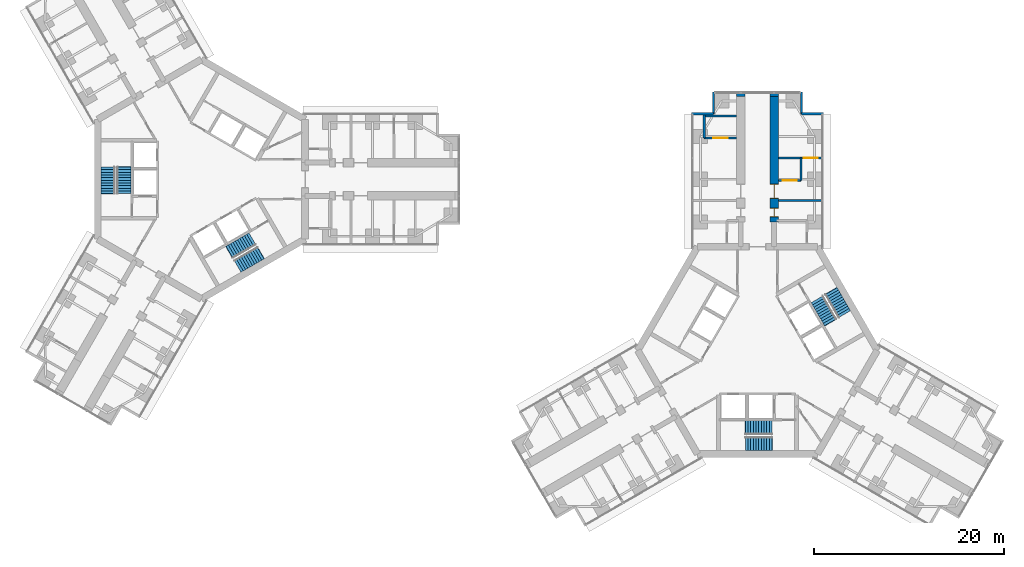
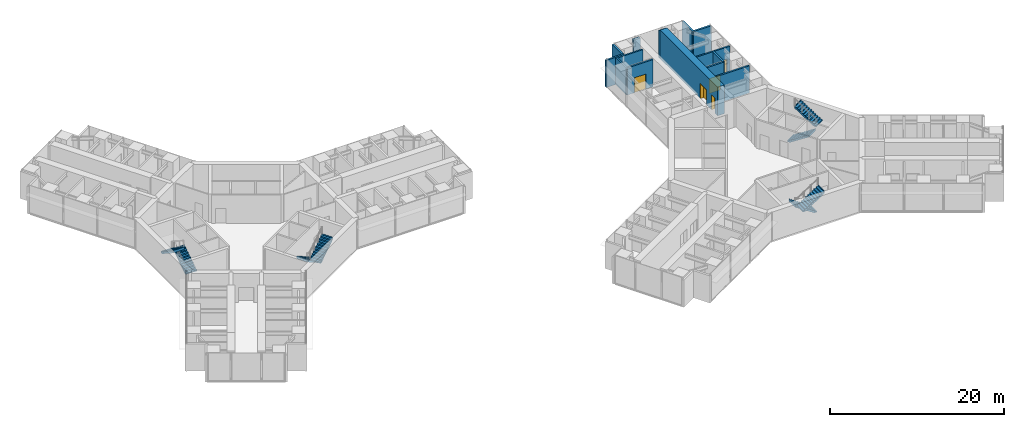
# One storey, part 21 of 22: 14 walls, 8 stair flights, 5 doors, 5 openings, 4 elements without a shape of their own.
"""IFC4 building model written with IfcOpenShell, lengths in metres."""

from ifc_helpers import new_model, si_unit, direction, frame, frame_2d, origin, place, context, subcontext, project, spatial, polyline, rectangle, outline, extrude, material, layer, layer_set, type_object, element, fill, aggregate, save


model = new_model("IFC4")

# Units and contexts
model_context = context("Model", 3, precision=1e-05, world=origin(), true_north=direction((0.0, 1.0)))
body_context = subcontext(model_context, "Body", "Model", "MODEL_VIEW")
ifc_project = project(units=[si_unit("LENGTHUNIT", "METRE"), si_unit("AREAUNIT", "SQUARE_METRE"), si_unit("VOLUMEUNIT", "CUBIC_METRE"), si_unit("PLANEANGLEUNIT", "RADIAN"), si_unit("MASSUNIT", "GRAM", prefix="KILO")], contexts=[model_context])

# Site, building, storey
site_placement = place(None, origin())
site = spatial("IfcSite", under=ifc_project, at=site_placement, CompositionType="ELEMENT")
building_placement = place(site_placement, origin())
building = spatial("IfcBuilding", under=site, at=building_placement, Name="Upepo Twin Towers", CompositionType="ELEMENT")
storey_placement = place(building_placement, frame((0.0, 0.0, 44.5)))
storey = spatial("IfcBuildingStorey", under=building, at=storey_placement, Name="L10", CompositionType="ELEMENT", Elevation=44.5)

# Wall
ifc_material_1 = material(Name="Concrete blockwork, plastered both faces", Category="masonry")
ifc_layer_1 = layer(ifc_material_1, 0.215087890625)
ifc_layer_set_1 = layer_set([ifc_layer_1], Name="Blockwork partition 215")
wall_type_1 = type_object("IfcWallType", Name="Blockwork partition 215", PredefinedType="PARTITIONING", material=ifc_layer_set_1)
wall_1_placement = place(storey_placement, frame((52.89990234375, 4.35009765625, 0.0), z_axis=(0.0, 0.0, 1.0), x_axis=(0.0, 1.0, 0.0)))
element("IfcWall", 1, at=wall_1_placement, inside=storey, type_object=wall_type_1, Name="T2 inner room partition AL at 22.35", PredefinedType="PARTITIONING", context=body_context, shape_type="SweptSolid", body=[
    extrude(rectangle(XDim=2.39990234375, YDim=0.215087890625, at=frame_2d((1.199951171875, 0.0))), origin(), (0.0, 0.0, 1.0), 3.800048828125),
])

# Wall, opening, door
wall_2_placement = place(storey_placement, frame((56.300048828125, 4.35009765625, 0.0), z_axis=(0.0, 0.0, 1.0), x_axis=(-1.0, 0.0, 0.0)))
wall_2 = element("IfcWall", 2, at=wall_2_placement, inside=storey, type_object=wall_type_1, Name="T2 inner room partition AL end at 22.35", PredefinedType="PARTITIONING", context=body_context, shape_type="SweptSolid", body=[
    extrude(rectangle(XDim=3.400146484375, YDim=0.215087890625, at=frame_2d((1.7001953125, 0.0))), origin(), (0.0, 0.0, 1.0), 3.800048828125),
])
opening_1_placement = place(wall_2_placement, frame((0.949951171875, 0.0, 0.0)))
opening_1 = element("IfcOpeningElement", 3, at=opening_1_placement, cuts=wall_2, Name="Opening D13", PredefinedType="OPENING", context=body_context, shape_type="SweptSolid", body=[
    extrude(rectangle(XDim=1.5, YDim=2.10009765625, at=frame_2d((0.75, 1.050048828125))), frame((0.0, 0.117431640625, 0.0), z_axis=(0.0, -1.0, 0.0), x_axis=(1.0, 0.0, 0.0)), (0.0, 0.0, 1.0), 0.235107421875),
])
ifc_material_2 = material(Name="Timber doorset", Category="wood")
door_type_1 = type_object("IfcDoorType", Name="Double door 1500 FD30", OperationType="DOUBLE_DOOR_SINGLE_SWING", PredefinedType="DOOR", material=ifc_material_2)
door_1_placement = place(opening_1_placement, origin())
door_1 = element("IfcDoor", 4, at=door_1_placement, inside=storey, type_object=door_type_1, Name="T2 L10 inner room door", OperationType="DOUBLE_DOOR_SINGLE_SWING", OverallHeight=2.10009765625, OverallWidth=1.5, PredefinedType="DOOR", context=body_context, shape_type="SweptSolid", body=[
    extrude(rectangle(XDim=1.5, YDim=2.10009765625, at=frame_2d((0.75, 1.050048828125))), frame((0.0, 0.02490234375, 0.0), z_axis=(0.0, -1.0, 0.0), x_axis=(1.0, 0.0, 0.0)), (0.0, 0.0, 1.0), 0.050048828125),
])
fill(opening_1, door_1)

# Walls
wall_3_placement = place(storey_placement, frame((56.300048828125, 6.642578125, 0.0), z_axis=(0.0, 0.0, 1.0), x_axis=(-1.0, 0.0, 0.0)))
element("IfcWall", 5, at=wall_3_placement, inside=storey, type_object=wall_type_1, Name="T2 inner room partition AL end at 24.75", PredefinedType="PARTITIONING", context=body_context, shape_type="SweptSolid", body=[
    extrude(rectangle(XDim=3.400146484375, YDim=0.215087890625, at=frame_2d((1.7001953125, 0.0))), origin(), (0.0, 0.0, 1.0), 3.800048828125),
])
wall_4_placement = place(storey_placement, frame((60.699951171875, -2.25, 0.0), z_axis=(0.0, 0.0, 1.0), x_axis=(1.0, 0.0, 0.0)))
element("IfcWall", 6, at=wall_4_placement, inside=storey, type_object=wall_type_1, Name="T2 partition AR at 15.75", PredefinedType="PARTITIONING", context=body_context, shape_type="SweptSolid", body=[
    extrude(rectangle(XDim=4.550048828125, YDim=0.215087890625, at=frame_2d((2.27490234375, 0.0))), origin(), (0.0, 0.0, 1.0), 3.800048828125),
])

# Wall, opening, door
wall_5_placement = place(storey_placement, frame((60.699951171875, 2.25, 0.0), z_axis=(0.0, 0.0, 1.0), x_axis=(1.0, 0.0, 0.0)))
wall_5 = element("IfcWall", 7, at=wall_5_placement, inside=storey, type_object=wall_type_1, Name="T2 partition AR at 20.25", PredefinedType="PARTITIONING", context=body_context, shape_type="SweptSolid", body=[
    extrude(rectangle(XDim=4.550048828125, YDim=0.215087890625, at=frame_2d((2.27490234375, 0.0))), origin(), (0.0, 0.0, 1.0), 3.800048828125),
])
opening_2_placement = place(wall_5_placement, frame((2.64990234375, 0.0, 0.0)))
opening_2 = element("IfcOpeningElement", 8, at=opening_2_placement, cuts=wall_5, Name="Opening D13", PredefinedType="OPENING", context=body_context, shape_type="SweptSolid", body=[
    extrude(rectangle(XDim=1.5, YDim=2.10009765625, at=frame_2d((0.75, 1.050048828125))), frame((0.0, 0.117431640625, 0.0), z_axis=(0.0, -1.0, 0.0), x_axis=(1.0, 0.0, 0.0)), (0.0, 0.0, 1.0), 0.235107421875),
])
door_2_placement = place(opening_2_placement, origin())
door_2 = element("IfcDoor", 9, at=door_2_placement, inside=storey, type_object=door_type_1, Name="T2 L10 connecting door", OperationType="DOUBLE_DOOR_SINGLE_SWING", OverallHeight=2.10009765625, OverallWidth=1.5, PredefinedType="DOOR", context=body_context, shape_type="SweptSolid", body=[
    extrude(rectangle(XDim=1.5, YDim=2.10009765625, at=frame_2d((0.75, 1.050048828125))), frame((0.0, 0.02490234375, 0.0), z_axis=(0.0, -1.0, 0.0), x_axis=(1.0, 0.0, 0.0)), (0.0, 0.0, 1.0), 0.050048828125),
])
fill(opening_2, door_2)

# Wall
wall_6_placement = place(storey_placement, frame((63.10009765625, -0.14990234375, 0.0), z_axis=(0.0, 0.0, 1.0), x_axis=(0.0, 1.0, 0.0)))
element("IfcWall", 10, at=wall_6_placement, inside=storey, type_object=wall_type_1, Name="T2 inner room partition AR at 17.85", PredefinedType="PARTITIONING", context=body_context, shape_type="SweptSolid", body=[
    extrude(rectangle(XDim=2.39990234375, YDim=0.215087890625, at=frame_2d((1.199951171875, 0.0))), origin(), (0.0, 0.0, 1.0), 3.800048828125),
])

# Wall, opening, door
wall_7_placement = place(storey_placement, frame((60.699951171875, -0.14990234375, 0.0), z_axis=(0.0, 0.0, 1.0), x_axis=(1.0, 0.0, 0.0)))
wall_7 = element("IfcWall", 11, at=wall_7_placement, inside=storey, type_object=wall_type_1, Name="T2 inner room partition AR end at 17.85", PredefinedType="PARTITIONING", context=body_context, shape_type="SweptSolid", body=[
    extrude(rectangle(XDim=2.400146484375, YDim=0.215087890625, at=frame_2d((1.2001953125, 0.0))), origin(), (0.0, 0.0, 1.0), 3.800048828125),
])
opening_3_placement = place(wall_7_placement, frame((0.449951171875, 0.0, 0.0)))
opening_3 = element("IfcOpeningElement", 12, at=opening_3_placement, cuts=wall_7, Name="Opening D13", PredefinedType="OPENING", context=body_context, shape_type="SweptSolid", body=[
    extrude(rectangle(XDim=1.5, YDim=2.10009765625, at=frame_2d((0.75, 1.050048828125))), frame((0.0, 0.117431640625, 0.0), z_axis=(0.0, -1.0, 0.0), x_axis=(1.0, 0.0, 0.0)), (0.0, 0.0, 1.0), 0.235107421875),
])
door_3_placement = place(opening_3_placement, origin())
door_3 = element("IfcDoor", 13, at=door_3_placement, inside=storey, type_object=door_type_1, Name="T2 L10 inner room door", OperationType="DOUBLE_DOOR_SINGLE_SWING", OverallHeight=2.10009765625, OverallWidth=1.5, PredefinedType="DOOR", context=body_context, shape_type="SweptSolid", body=[
    extrude(rectangle(XDim=1.5, YDim=2.10009765625, at=frame_2d((0.75, 1.050048828125))), frame((0.0, 0.02490234375, 0.0), z_axis=(0.0, -1.0, 0.0), x_axis=(1.0, 0.0, 0.0)), (0.0, 0.0, 1.0), 0.050048828125),
])
fill(opening_3, door_3)

# Walls
ifc_material_3 = material(Name="Dense concrete blockwork", Category="masonry")
ifc_layer_2 = layer(ifc_material_3, 0.89990234375)
ifc_layer_set_2 = layer_set([ifc_layer_2], Name="Buttress closer 900, blockwork with fire-stopping to the curtain wall")
wall_type_2 = type_object("IfcWallType", Name="Buttress closer 900, blockwork with fire-stopping to the curtain wall", PredefinedType="PARTITIONING", material=ifc_layer_set_2)
for number, where, z_axis, x_axis, name in (
    (14, (56.75, 8.699951171875, 0.0), (0.0, 0.0, 1.0), (0.0, 1.0, 0.0), "T2 L10 wing A buttress closer L"),
    (15, (60.25, 8.699951171875, 0.0), (0.0, 0.0, 1.0), (0.0, 1.0, 0.0), "T2 L10 wing A buttress closer R"),
):
    element("IfcWall", number, at=place(storey_placement, frame(where, z_axis=z_axis, x_axis=x_axis)), inside=storey, type_object=wall_type_2, Name=name, PredefinedType="PARTITIONING", context=body_context, shape_type="SweptSolid", body=[
        extrude(rectangle(XDim=0.31005859375, YDim=0.89990234375, at=frame_2d((0.155029296875, 0.0))), origin(), (0.0, 0.0, 1.0), 3.800048828125),
    ])

# Wall, openings, doors
ifc_material_4 = material(Name="Concrete C60/75", Category="concrete")
ifc_layer_3 = layer(ifc_material_4, 0.89990234375)
ifc_layer_set_3 = layer_set([ifc_layer_3], Name="Concrete C60/75")
wall_type_3 = type_object("IfcWallType", Name="Buttress wall 900 RC", PredefinedType="SHEAR", material=ifc_layer_set_3)
wall_8_placement = place(storey_placement, frame((60.25, -4.5, 0.0), z_axis=(0.0, 0.0, 1.0), x_axis=(0.0, 1.0, 0.0)))
wall_8 = element("IfcWall", 16, at=wall_8_placement, inside=storey, type_object=wall_type_3, Name="T2 wing A buttress wall R part 2", PredefinedType="SHEAR", context=body_context, shape_type="SweptSolid", body=[
    extrude(rectangle(XDim=13.199951171875, YDim=0.89990234375, at=frame_2d((6.60009765625, 0.0))), origin(), (0.0, 0.0, 1.0), 4.0),
])
opening_4_placement = place(wall_8_placement, frame((0.550048828125, 0.0, 0.0)))
opening_4 = element("IfcOpeningElement", 17, at=opening_4_placement, cuts=wall_8, Name="Opening D11", PredefinedType="OPENING", context=body_context, shape_type="SweptSolid", body=[
    extrude(rectangle(XDim=0.89990234375, YDim=2.10009765625, at=frame_2d((0.449951171875, 1.050048828125))), frame((0.0, 0.4599609375, 0.0), z_axis=(0.0, -1.0, 0.0), x_axis=(1.0, 0.0, 0.0)), (0.0, 0.0, 1.0), 0.919921875),
])
opening_5_placement = place(wall_8_placement, frame((2.5, 0.0, 0.0)))
opening_5 = element("IfcOpeningElement", 18, at=opening_5_placement, cuts=wall_8, Name="Opening D13", PredefinedType="OPENING", context=body_context, shape_type="SweptSolid", body=[
    extrude(rectangle(XDim=1.5, YDim=2.10009765625, at=frame_2d((0.75, 1.050048828125))), frame((0.0, 0.4599609375, 0.0), z_axis=(0.0, -1.0, 0.0), x_axis=(1.0, 0.0, 0.0)), (0.0, 0.0, 1.0), 0.919921875),
])
door_4_placement = place(opening_5_placement, origin())
door_4 = element("IfcDoor", 19, at=door_4_placement, inside=storey, type_object=door_type_1, Name="T2 L10 tutorial room door", OperationType="DOUBLE_DOOR_SINGLE_SWING", OverallHeight=2.10009765625, OverallWidth=1.5, PredefinedType="DOOR", context=body_context, shape_type="SweptSolid", body=[
    extrude(rectangle(XDim=1.42, YDim=2.06009765625, at=frame_2d((0.75, 1.030029296875))), frame((0.0, 0.02490234375, 0.0), z_axis=(0.0, -1.0, 0.0), x_axis=(1.0, 0.0, 0.0)), (0.0, 0.0, 1.0), 0.050048828125),
    extrude(rectangle(XDim=0.04, YDim=2.10009765625, at=frame_2d((0.02001953125, 1.050048828125))), frame((0.0, 0.44970703125, 0.0), z_axis=(0.0, -1.0, 0.0), x_axis=(1.0, 0.0, 0.0)), (0.0, 0.0, 1.0), 0.8994140625),
    extrude(rectangle(XDim=0.04, YDim=2.10009765625, at=frame_2d((1.47998046875, 1.050048828125))), frame((0.0, 0.44970703125, 0.0), z_axis=(0.0, -1.0, 0.0), x_axis=(1.0, 0.0, 0.0)), (0.0, 0.0, 1.0), 0.8994140625),
    extrude(rectangle(XDim=1.42, YDim=0.04, at=frame_2d((0.75, 2.080078125))), frame((0.0, 0.44970703125, 0.0), z_axis=(0.0, -1.0, 0.0), x_axis=(1.0, 0.0, 0.0)), (0.0, 0.0, 1.0), 0.8994140625),
])
fill(opening_5, door_4)
ifc_material_5 = material(Name="Timber doorset", Category="wood")
door_type_2 = type_object("IfcDoorType", Name="Toilet door 900", OperationType="SINGLE_SWING_LEFT", PredefinedType="DOOR", material=ifc_material_5)
door_5_placement = place(opening_4_placement, origin())
door_5 = element("IfcDoor", 20, at=door_5_placement, inside=storey, type_object=door_type_2, Name="T2 L10 accessible wc door", OperationType="SINGLE_SWING_LEFT", OverallHeight=2.10009765625, OverallWidth=0.89990234375, PredefinedType="DOOR", context=body_context, shape_type="SweptSolid", body=[
    extrude(rectangle(XDim=0.81990234375, YDim=2.06009765625, at=frame_2d((0.449951171875, 1.030029296875))), frame((0.0, 0.02490234375, 0.0), z_axis=(0.0, -1.0, 0.0), x_axis=(1.0, 0.0, 0.0)), (0.0, 0.0, 1.0), 0.050048828125),
    extrude(rectangle(XDim=0.04, YDim=2.10009765625, at=frame_2d((0.02001953125, 1.050048828125))), frame((0.0, 0.44970703125, 0.0), z_axis=(0.0, -1.0, 0.0), x_axis=(1.0, 0.0, 0.0)), (0.0, 0.0, 1.0), 0.8994140625),
    extrude(rectangle(XDim=0.04, YDim=2.10009765625, at=frame_2d((0.8798828125, 1.050048828125))), frame((0.0, 0.44970703125, 0.0), z_axis=(0.0, -1.0, 0.0), x_axis=(1.0, 0.0, 0.0)), (0.0, 0.0, 1.0), 0.8994140625),
    extrude(rectangle(XDim=0.81990234375, YDim=0.04, at=frame_2d((0.449951171875, 2.080078125))), frame((0.0, 0.44970703125, 0.0), z_axis=(0.0, -1.0, 0.0), x_axis=(1.0, 0.0, 0.0)), (0.0, 0.0, 1.0), 0.8994140625),
])
fill(opening_4, door_5)

# Walls
ifc_material_6 = material(Name="Blockwork with anodised aluminium cladding", Category="masonry")
ifc_layer_4 = layer(ifc_material_6, 0.25)
ifc_layer_set_4 = layer_set([ifc_layer_4], Name="Notch cladding wall 250, pale metal")
wall_type_4 = type_object("IfcWallType", Name="Notch cladding wall 250, pale metal", PredefinedType="STANDARD", material=ifc_layer_set_4)
for number, where, z_axis, x_axis, name in (
    (21, (51.550048828125, 6.875, 0.0), (0.0, 0.0, 1.0), (1.0, 0.0, 0.0), "T2 L10 wing A notch wall L1"),
    (22, (53.875, 6.875, 0.0), (0.0, 0.0, 1.0), (0.0, 1.0, 0.0), "T2 L10 wing A notch wall L2"),
    (23, (65.449951171875, 6.875, 0.0), (0.0, 0.0, 1.0), (-1.0, 0.0, 0.0), "T2 L10 wing A notch wall R1"),
    (24, (63.125, 6.875, 0.0), (0.0, 0.0, 1.0), (0.0, 1.0, 0.0), "T2 L10 wing A notch wall R2"),
):
    element("IfcWall", number, at=place(storey_placement, frame(where, z_axis=z_axis, x_axis=x_axis)), inside=storey, type_object=wall_type_4, Name=name, PredefinedType="STANDARD", context=body_context, shape_type="SweptSolid", body=[
        extrude(rectangle(XDim=2.324951171875, YDim=0.25, at=frame_2d((1.16259765625, 0.0))), origin(), (0.0, 0.0, 1.0), 3.800048828125),
    ])

# Stair, stair flights
ifc_material_7 = material(Name="Concrete C40/50", Category="concrete")
stair_type = type_object("IfcStairType", Name="Core stair, two flights", PredefinedType="HALF_TURN_STAIR", material=ifc_material_7)
stair_1_placement = place(storey_placement, origin())
stair_1 = element("IfcStair", 25, at=stair_1_placement, inside=storey, type_object=stair_type, Name="T1 stair S1 L10", PredefinedType="HALF_TURN_STAIR")
ifc_material_8 = material(Name="Concrete C40/50", Category="concrete")
stair_flight_type = type_object("IfcStairFlightType", Name="Stair flight 1450 RC", PredefinedType="STRAIGHT", material=ifc_material_8)
stair_flight_1_placement = place(storey_placement, frame((-8.125, -1.52001953125, 0.0), z_axis=(0.0, 0.0, 1.0), x_axis=(0.0, 1.0, 0.0)))
stair_flight_1 = element("IfcStairFlight", 26, at=stair_flight_1_placement, type_object=stair_flight_type, Name="Stair S1 flight 1", NumberOfRisers=11, NumberOfTreads=10, PredefinedType="STRAIGHT", RiserHeight=0.181818182, TreadLength=0.28, context=body_context, shape_type="SweptSolid", body=[
    extrude(outline(polyline([(0.0, 0.0), (0.0, 0.181884765625), (0.280029296875, 0.181884765625), (0.280029296875, 0.363525390625), (0.56005859375, 0.363525390625), (0.56005859375, 0.54541015625), (0.840087890625, 0.54541015625), (0.840087890625, 0.727294921875), (1.1201171875, 0.727294921875), (1.1201171875, 0.9091796875), (1.39990234375, 0.9091796875), (1.39990234375, 1.0908203125), (1.679931640625, 1.0908203125), (1.679931640625, 1.272705078125), (1.9599609375, 1.272705078125), (1.9599609375, 1.45458984375), (2.239990234375, 1.45458984375), (2.239990234375, 1.636474609375), (2.52001953125, 1.636474609375), (2.52001953125, 1.818115234375), (2.800048828125, 1.818115234375), (2.800048828125, 2.0), (2.85009765625, 2.0), (2.85009765625, 1.639404296875), (0.3251953125, 0.0), (0.0, 0.0)])), frame((0.0, 0.72509765625, 0.0), z_axis=(0.0, -1.0, 0.0), x_axis=(1.0, 0.0, 0.0)), (0.0, 0.0, 1.0), 1.449951171875),
])
stair_flight_2_placement = place(storey_placement, frame((-9.833251953125, 1.280029296875, 2.0), z_axis=(0.0, 0.0, 1.0), x_axis=(0.0, -1.0, 0.0)))
stair_flight_2 = element("IfcStairFlight", 27, at=stair_flight_2_placement, type_object=stair_flight_type, Name="Stair S1 flight 2", NumberOfRisers=11, NumberOfTreads=10, PredefinedType="STRAIGHT", RiserHeight=0.181818182, TreadLength=0.28, context=body_context, shape_type="SweptSolid", body=[
    extrude(outline(polyline([(0.0, 0.0), (0.0, 0.181884765625), (0.280029296875, 0.181884765625), (0.280029296875, 0.363525390625), (0.56005859375, 0.363525390625), (0.56005859375, 0.54541015625), (0.840087890625, 0.54541015625), (0.840087890625, 0.727294921875), (1.1201171875, 0.727294921875), (1.1201171875, 0.9091796875), (1.39990234375, 0.9091796875), (1.39990234375, 1.0908203125), (1.679931640625, 1.0908203125), (1.679931640625, 1.272705078125), (1.9599609375, 1.272705078125), (1.9599609375, 1.45458984375), (2.239990234375, 1.45458984375), (2.239990234375, 1.636474609375), (2.52001953125, 1.636474609375), (2.52001953125, 1.818115234375), (2.800048828125, 1.818115234375), (2.800048828125, 2.0), (2.85009765625, 2.0), (2.85009765625, 1.639404296875), (0.3251953125, 0.0), (0.0, 0.0)])), frame((0.0, 0.72509765625, 0.0), z_axis=(0.0, -1.0, 0.0), x_axis=(1.0, 0.0, 0.0)), (0.0, 0.0, 1.0), 1.449951171875),
])
aggregate(stair_1, [stair_flight_1, stair_flight_2])

stair_2_placement = place(storey_placement, origin())
stair_2 = element("IfcStair", 28, at=stair_2_placement, inside=storey, type_object=stair_type, Name="T1 stair S2 L10", PredefinedType="HALF_TURN_STAIR")
stair_flight_3_placement = place(storey_placement, frame((5.37890625, -6.2763671875, 0.0), z_axis=(0.0, 0.0, 1.0), x_axis=(-0.866025403784, -0.5, 0.0)))
stair_flight_3 = element("IfcStairFlight", 29, at=stair_flight_3_placement, type_object=stair_flight_type, Name="Stair S2 flight 1", NumberOfRisers=11, NumberOfTreads=10, PredefinedType="STRAIGHT", RiserHeight=0.181818182, TreadLength=0.28, context=body_context, shape_type="SweptSolid", body=[
    extrude(outline(polyline([(0.0, 0.0), (0.0, 0.181884765625), (0.280029296875, 0.181884765625), (0.280029296875, 0.363525390625), (0.56005859375, 0.363525390625), (0.56005859375, 0.54541015625), (0.840087890625, 0.54541015625), (0.840087890625, 0.727294921875), (1.1201171875, 0.727294921875), (1.1201171875, 0.9091796875), (1.39990234375, 0.9091796875), (1.39990234375, 1.0908203125), (1.679931640625, 1.0908203125), (1.679931640625, 1.272705078125), (1.9599609375, 1.272705078125), (1.9599609375, 1.45458984375), (2.239990234375, 1.45458984375), (2.239990234375, 1.636474609375), (2.52001953125, 1.636474609375), (2.52001953125, 1.818115234375), (2.800048828125, 1.818115234375), (2.800048828125, 2.0), (2.85009765625, 2.0), (2.85009765625, 1.639404296875), (0.3251953125, 0.0), (0.0, 0.0)])), frame((0.0, 0.72509765625, 0.0), z_axis=(0.0, -1.0, 0.0), x_axis=(1.0, 0.0, 0.0)), (0.0, 0.0, 1.0), 1.449951171875),
])
stair_flight_4_placement = place(storey_placement, frame((3.80810546875, -9.156005859375, 2.0), z_axis=(0.0, 0.0, 1.0), x_axis=(0.866025403784, 0.5, 0.0)))
stair_flight_4 = element("IfcStairFlight", 30, at=stair_flight_4_placement, type_object=stair_flight_type, Name="Stair S2 flight 2", NumberOfRisers=11, NumberOfTreads=10, PredefinedType="STRAIGHT", RiserHeight=0.181818182, TreadLength=0.28, context=body_context, shape_type="SweptSolid", body=[
    extrude(outline(polyline([(0.0, 0.0), (0.0, 0.181884765625), (0.280029296875, 0.181884765625), (0.280029296875, 0.363525390625), (0.56005859375, 0.363525390625), (0.56005859375, 0.54541015625), (0.840087890625, 0.54541015625), (0.840087890625, 0.727294921875), (1.1201171875, 0.727294921875), (1.1201171875, 0.9091796875), (1.39990234375, 0.9091796875), (1.39990234375, 1.0908203125), (1.679931640625, 1.0908203125), (1.679931640625, 1.272705078125), (1.9599609375, 1.272705078125), (1.9599609375, 1.45458984375), (2.239990234375, 1.45458984375), (2.239990234375, 1.636474609375), (2.52001953125, 1.636474609375), (2.52001953125, 1.818115234375), (2.800048828125, 1.818115234375), (2.800048828125, 2.0), (2.85009765625, 2.0), (2.85009765625, 1.639404296875), (0.3251953125, 0.0), (0.0, 0.0)])), frame((0.0, 0.72509765625, 0.0), z_axis=(0.0, -1.0, 0.0), x_axis=(1.0, 0.0, 0.0)), (0.0, 0.0, 1.0), 1.449951171875),
])
aggregate(stair_2, [stair_flight_3, stair_flight_4])

stair_3_placement = place(storey_placement, origin())
stair_3 = element("IfcStair", 31, at=stair_3_placement, inside=storey, type_object=stair_type, Name="T2 stair S1 L10", PredefinedType="HALF_TURN_STAIR")
stair_flight_5_placement = place(storey_placement, frame((60.02001953125, -26.125, 0.0), z_axis=(0.0, 0.0, 1.0), x_axis=(-1.0, 0.0, 0.0)))
stair_flight_5 = element("IfcStairFlight", 32, at=stair_flight_5_placement, type_object=stair_flight_type, Name="Stair S1 flight 1", NumberOfRisers=11, NumberOfTreads=10, PredefinedType="STRAIGHT", RiserHeight=0.181818182, TreadLength=0.28, context=body_context, shape_type="SweptSolid", body=[
    extrude(outline(polyline([(0.0, 0.0), (0.0, 0.181884765625), (0.280029296875, 0.181884765625), (0.280029296875, 0.363525390625), (0.56005859375, 0.363525390625), (0.56005859375, 0.54541015625), (0.840087890625, 0.54541015625), (0.840087890625, 0.727294921875), (1.1201171875, 0.727294921875), (1.1201171875, 0.9091796875), (1.39990234375, 0.9091796875), (1.39990234375, 1.0908203125), (1.679931640625, 1.0908203125), (1.679931640625, 1.272705078125), (1.9599609375, 1.272705078125), (1.9599609375, 1.45458984375), (2.239990234375, 1.45458984375), (2.239990234375, 1.636474609375), (2.52001953125, 1.636474609375), (2.52001953125, 1.818115234375), (2.800048828125, 1.818115234375), (2.800048828125, 2.0), (2.85009765625, 2.0), (2.85009765625, 1.639404296875), (0.3251953125, 0.0), (0.0, 0.0)])), frame((0.0, 0.72509765625, 0.0), z_axis=(0.0, -1.0, 0.0), x_axis=(1.0, 0.0, 0.0)), (0.0, 0.0, 1.0), 1.449951171875),
])
stair_flight_6_placement = place(storey_placement, frame((57.219970703125, -27.833251953125, 2.0), z_axis=(0.0, 0.0, 1.0), x_axis=(1.0, 0.0, 0.0)))
stair_flight_6 = element("IfcStairFlight", 33, at=stair_flight_6_placement, type_object=stair_flight_type, Name="Stair S1 flight 2", NumberOfRisers=11, NumberOfTreads=10, PredefinedType="STRAIGHT", RiserHeight=0.181818182, TreadLength=0.28, context=body_context, shape_type="SweptSolid", body=[
    extrude(outline(polyline([(0.0, 0.0), (0.0, 0.181884765625), (0.280029296875, 0.181884765625), (0.280029296875, 0.363525390625), (0.56005859375, 0.363525390625), (0.56005859375, 0.54541015625), (0.840087890625, 0.54541015625), (0.840087890625, 0.727294921875), (1.1201171875, 0.727294921875), (1.1201171875, 0.9091796875), (1.39990234375, 0.9091796875), (1.39990234375, 1.0908203125), (1.679931640625, 1.0908203125), (1.679931640625, 1.272705078125), (1.9599609375, 1.272705078125), (1.9599609375, 1.45458984375), (2.239990234375, 1.45458984375), (2.239990234375, 1.636474609375), (2.52001953125, 1.636474609375), (2.52001953125, 1.818115234375), (2.800048828125, 1.818115234375), (2.800048828125, 2.0), (2.85009765625, 2.0), (2.85009765625, 1.639404296875), (0.3251953125, 0.0), (0.0, 0.0)])), frame((0.0, 0.72509765625, 0.0), z_axis=(0.0, -1.0, 0.0), x_axis=(1.0, 0.0, 0.0)), (0.0, 0.0, 1.0), 1.449951171875),
])
aggregate(stair_3, [stair_flight_5, stair_flight_6])

stair_4_placement = place(storey_placement, origin())
stair_4 = element("IfcStair", 34, at=stair_4_placement, inside=storey, type_object=stair_type, Name="T2 stair S2 L10", PredefinedType="HALF_TURN_STAIR")
stair_flight_7_placement = place(storey_placement, frame((64.7763671875, -12.62109375, 0.0), z_axis=(0.0, 0.0, 1.0), x_axis=(0.5, -0.866025403784, 0.0)))
stair_flight_7 = element("IfcStairFlight", 35, at=stair_flight_7_placement, type_object=stair_flight_type, Name="Stair S2 flight 1", NumberOfRisers=11, NumberOfTreads=10, PredefinedType="STRAIGHT", RiserHeight=0.181818182, TreadLength=0.28, context=body_context, shape_type="SweptSolid", body=[
    extrude(outline(polyline([(0.0, 0.0), (0.0, 0.181884765625), (0.280029296875, 0.181884765625), (0.280029296875, 0.363525390625), (0.56005859375, 0.363525390625), (0.56005859375, 0.54541015625), (0.840087890625, 0.54541015625), (0.840087890625, 0.727294921875), (1.1201171875, 0.727294921875), (1.1201171875, 0.9091796875), (1.39990234375, 0.9091796875), (1.39990234375, 1.0908203125), (1.679931640625, 1.0908203125), (1.679931640625, 1.272705078125), (1.9599609375, 1.272705078125), (1.9599609375, 1.45458984375), (2.239990234375, 1.45458984375), (2.239990234375, 1.636474609375), (2.52001953125, 1.636474609375), (2.52001953125, 1.818115234375), (2.800048828125, 1.818115234375), (2.800048828125, 2.0), (2.85009765625, 2.0), (2.85009765625, 1.639404296875), (0.3251953125, 0.0), (0.0, 0.0)])), frame((0.0, 0.72509765625, 0.0), z_axis=(0.0, -1.0, 0.0), x_axis=(1.0, 0.0, 0.0)), (0.0, 0.0, 1.0), 1.449951171875),
])
stair_flight_8_placement = place(storey_placement, frame((67.656005859375, -14.19189453125, 2.0), z_axis=(0.0, 0.0, 1.0), x_axis=(-0.5, 0.866025403784, 0.0)))
stair_flight_8 = element("IfcStairFlight", 36, at=stair_flight_8_placement, type_object=stair_flight_type, Name="Stair S2 flight 2", NumberOfRisers=11, NumberOfTreads=10, PredefinedType="STRAIGHT", RiserHeight=0.181818182, TreadLength=0.28, context=body_context, shape_type="SweptSolid", body=[
    extrude(outline(polyline([(0.0, 0.0), (0.0, 0.181884765625), (0.280029296875, 0.181884765625), (0.280029296875, 0.363525390625), (0.56005859375, 0.363525390625), (0.56005859375, 0.54541015625), (0.840087890625, 0.54541015625), (0.840087890625, 0.727294921875), (1.1201171875, 0.727294921875), (1.1201171875, 0.9091796875), (1.39990234375, 0.9091796875), (1.39990234375, 1.0908203125), (1.679931640625, 1.0908203125), (1.679931640625, 1.272705078125), (1.9599609375, 1.272705078125), (1.9599609375, 1.45458984375), (2.239990234375, 1.45458984375), (2.239990234375, 1.636474609375), (2.52001953125, 1.636474609375), (2.52001953125, 1.818115234375), (2.800048828125, 1.818115234375), (2.800048828125, 2.0), (2.85009765625, 2.0), (2.85009765625, 1.639404296875), (0.3251953125, 0.0), (0.0, 0.0)])), frame((0.0, 0.72509765625, 0.0), z_axis=(0.0, -1.0, 0.0), x_axis=(1.0, 0.0, 0.0)), (0.0, 0.0, 1.0), 1.449951171875),
])
aggregate(stair_4, [stair_flight_7, stair_flight_8])

save(model, "model.ifc")
